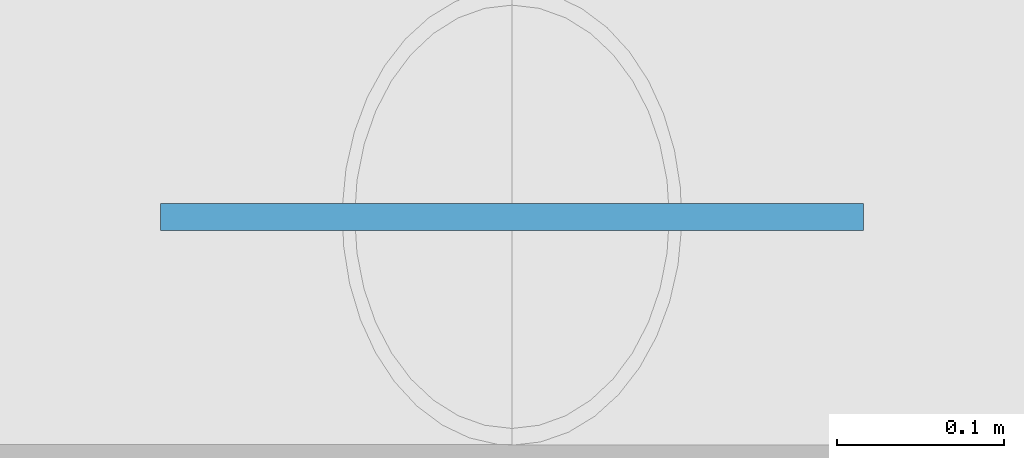
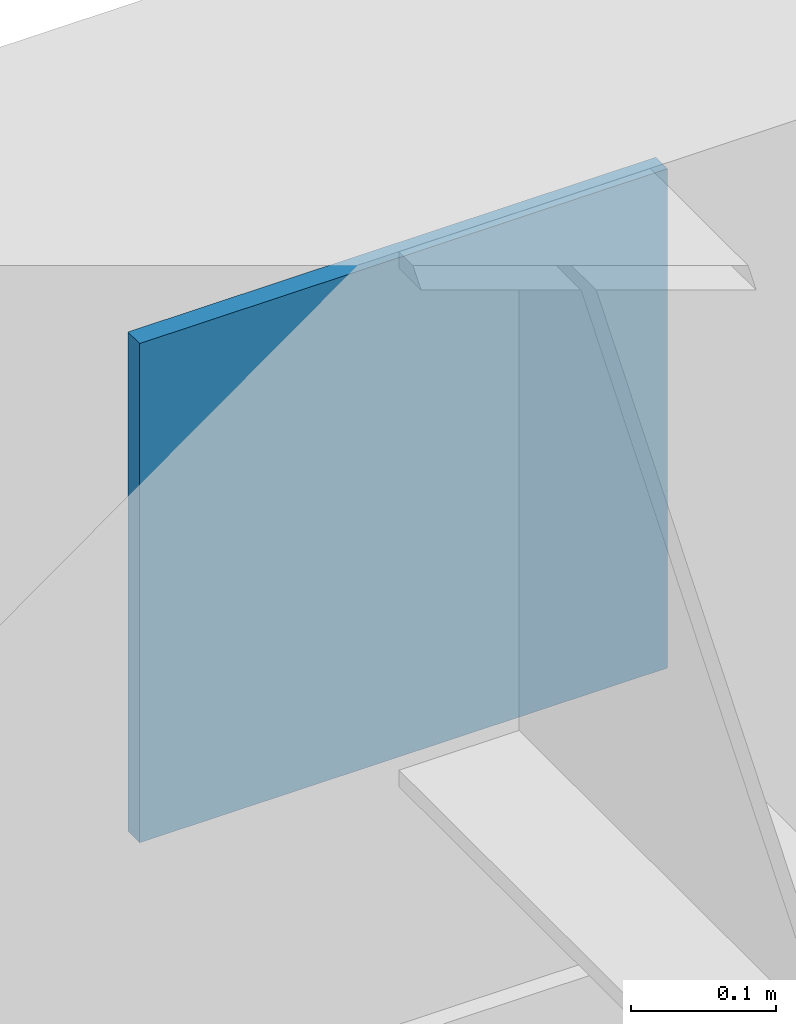
# One storey, part 35 of 68: 1 plate.
"""IFC4 building model written with IfcOpenShell, lengths in metres."""

from ifc_helpers import new_model, si_unit, direction, frame, origin, origin_2d, place, context, subcontext, project, spatial, rectangle, extrude, material, layer, layer_set, type_object, element, save


model = new_model("IFC4")

# Units and contexts
model_context = context("Model", 3, precision=1e-05, world=origin(), true_north=direction((0.0, 1.0)))
body_context = subcontext(model_context, "Body", "Model", "MODEL_VIEW")
ifc_project = project(units=[si_unit("LENGTHUNIT", "METRE"), si_unit("AREAUNIT", "SQUARE_METRE"), si_unit("VOLUMEUNIT", "CUBIC_METRE"), si_unit("PLANEANGLEUNIT", "RADIAN"), si_unit("MASSUNIT", "GRAM", prefix="KILO")], contexts=[model_context])

# Site, building, storey
site_placement = place(None, origin())
site = spatial("IfcSite", under=ifc_project, at=site_placement, CompositionType="ELEMENT")
building_placement = place(site_placement, origin())
building = spatial("IfcBuilding", under=site, at=building_placement, Name="Chengyuan Square Courthouse", CompositionType="ELEMENT")
storey_placement = place(building_placement, frame((0.0, 0.0, 5.39990234375)))
storey = spatial("IfcBuildingStorey", under=building, at=storey_placement, Name="L02", CompositionType="ELEMENT", Elevation=5.39990234375)

# Plate
ifc_material = material(Name="Steel Q355B", Category="steel")
ifc_layer = layer(ifc_material, 0.01611328125)
ifc_layer_set = layer_set([ifc_layer], Name="Steel Q355B")
plate_type = type_object("IfcPlateType", Name="GP-01", PredefinedType="SHEET", material=ifc_layer_set)
plate_placement = place(storey_placement, frame((105.0, 115.199951171875, 4.56005859375), z_axis=(0.0, 0.0, 1.0), x_axis=(1.0, 0.0, 0.0)))
element("IfcPlate", 1, at=plate_placement, inside=storey, type_object=plate_type, Name="Brace Gusset Plate GP-L02-12", PredefinedType="SHEET", context=body_context, shape_type="SweptSolid", body=[
    extrude(rectangle(XDim=0.419921875, YDim=0.01611328125, at=origin_2d()), origin(), (0.0, 0.0, 1.0), 0.419921875),
])

save(model, "model.ifc")
